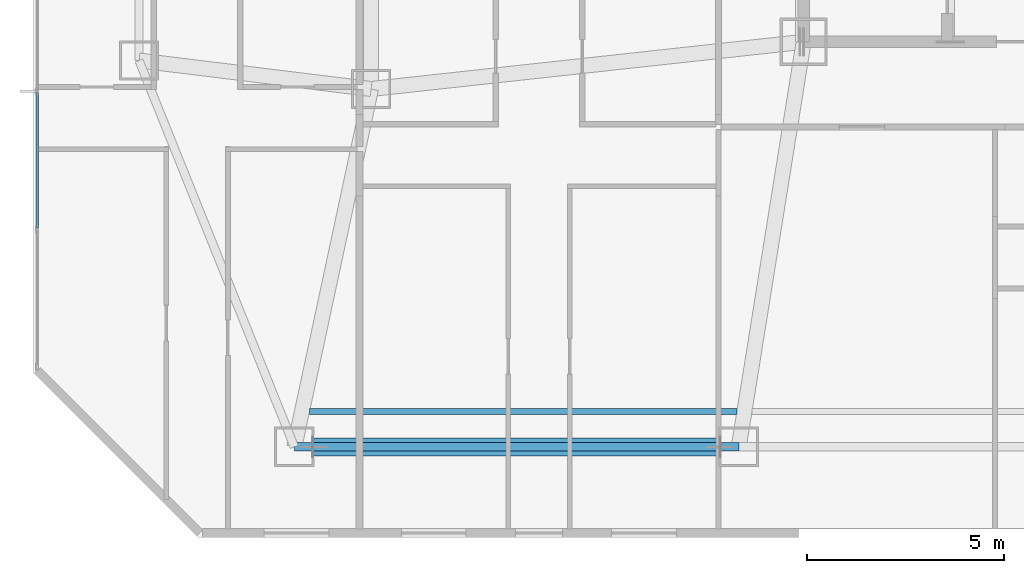
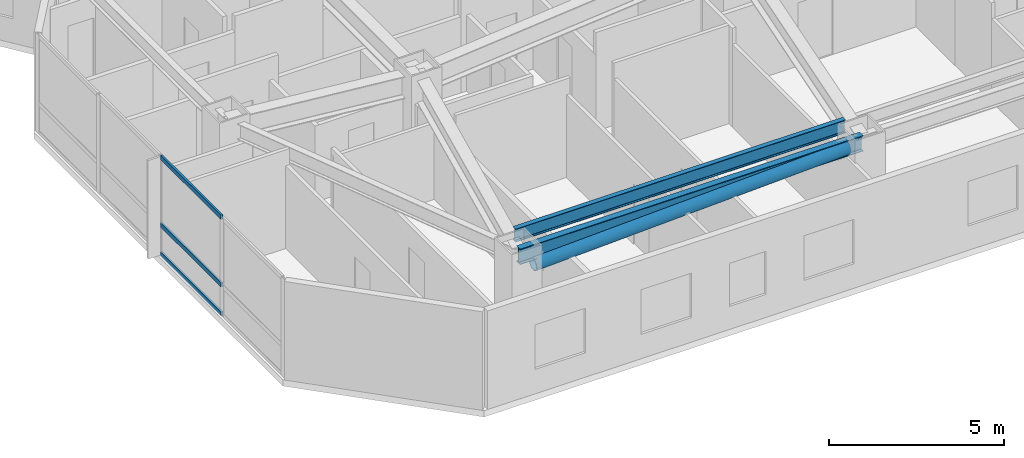
# One storey, part 3 of 21: 4 members, 2 beams, 1 element without a shape of its own.
"""IFC4 building model written with IfcOpenShell, lengths in metres."""

from ifc_helpers import new_model, si_unit, direction, frame, origin, origin_2d, place, context, subcontext, project, spatial, hollow_rectangle, hollow_circle, i_section, extrude, material, material_profile, profile_set, type_object, element, aggregate, save


model = new_model("IFC4")

# Units and contexts
model_context = context("Model", 3, precision=1e-05, world=origin(), true_north=direction((0.0, 1.0)))
body_context = subcontext(model_context, "Body", "Model", "MODEL_VIEW")
ifc_project = project(units=[si_unit("LENGTHUNIT", "METRE"), si_unit("AREAUNIT", "SQUARE_METRE"), si_unit("VOLUMEUNIT", "CUBIC_METRE"), si_unit("PLANEANGLEUNIT", "RADIAN"), si_unit("MASSUNIT", "GRAM", prefix="KILO")], contexts=[model_context])

# Site, building, storey
site_placement = place(None, origin())
site = spatial("IfcSite", under=ifc_project, at=site_placement, CompositionType="ELEMENT")
building_placement = place(site_placement, origin())
building = spatial("IfcBuilding", under=site, at=building_placement, Name="Khamvora Tower", CompositionType="ELEMENT")
storey_placement = place(building_placement, frame((0.0, 0.0, 98.25)))
storey = spatial("IfcBuildingStorey", under=building, at=storey_placement, Name="L24", CompositionType="ELEMENT", Elevation=98.25)

# Beams
ifc_material_1 = material(Name="Steel S355", Category="steel")
ifc_material_profile_1 = material_profile(ifc_material_1, i_section(OverallWidth=0.154052734375, OverallDepth=0.458984375, WebThickness=0.009033203125, FlangeThickness=0.014892578125, FilletRadius=0.011962890625, at=origin_2d()), Name="W460x68")
ifc_profile_set_1 = profile_set([ifc_material_profile_1], Name="Steel S355")
beam_type_1 = type_object("IfcBeamType", Name="BM-JS-W460x68", PredefinedType="JOIST", material=ifc_profile_set_1)
beam_1_placement = place(storey_placement, frame((16.43310546875, 9.60009765625, 3.200927734375), z_axis=(1.0, 0.0, 0.0), x_axis=(0.0, 1.0, 0.0)))
element("IfcBeam", 1, at=beam_1_placement, inside=storey, type_object=beam_type_1, Name="L24 secondary floor joist 01", PredefinedType="JOIST", context=body_context, shape_type="SweptSolid", body=[
    extrude(i_section(OverallWidth=0.154052734375, OverallDepth=0.458984375, WebThickness=0.009033203125, FlangeThickness=0.014892578125, FilletRadius=0.011962890625, at=origin_2d()), origin(), (0.0, 0.0, 1.0), 10.872802734375),
])
ifc_material_profile_2 = material_profile(ifc_material_1, i_section(OverallWidth=0.2119140625, OverallDepth=0.5439453125, WebThickness=0.012939453125, FlangeThickness=0.02099609375, FilletRadius=0.013916015625, at=origin_2d()), Name="W530x123")
ifc_profile_set_2 = profile_set([ifc_material_profile_2], Name="Steel S355")
beam_type_2 = type_object("IfcBeamType", Name="BM-SP-W530x123", PredefinedType="SPANDREL", material=ifc_profile_set_2)
beam_2_placement = place(storey_placement, frame((16.050048828125, 8.699951171875, 3.157958984375), z_axis=(1.0, 0.0, 0.0), x_axis=(0.0, 1.0, 0.0)))
element("IfcBeam", 2, at=beam_2_placement, inside=storey, type_object=beam_type_2, Name="L24 perimeter spandrel beam S1-S2", PredefinedType="SPANDREL", context=body_context, shape_type="SweptSolid", body=[
    extrude(i_section(OverallWidth=0.2119140625, OverallDepth=0.5439453125, WebThickness=0.012939453125, FlangeThickness=0.02099609375, FilletRadius=0.013916015625, at=origin_2d()), origin(), (0.0, 0.0, 1.0), 11.300048828125),
])

# Curtain wall, members
ifc_material_2 = material(Name="Anodised Aluminium 6063-T6", Category="aluminium")
curtain_wall_type = type_object("IfcCurtainWallType", Name="CW-SYS-03", PredefinedType="NOTDEFINED", material=ifc_material_2)
curtain_wall_placement = place(storey_placement, origin())
curtain_wall = element("IfcCurtainWall", 3, at=curtain_wall_placement, inside=storey, type_object=curtain_wall_type, Name="L24 stick curtain wall 02.1", PredefinedType="NOTDEFINED")
ifc_material_profile_3 = material_profile(ifc_material_2, hollow_rectangle(XDim=0.06494140625, YDim=0.155029296875, WallThickness=0.0048828125, at=origin_2d()), Name="TRN65x155x5")
ifc_profile_set_3 = profile_set([ifc_material_profile_3], Name="Anodised Aluminium 6063-T6")
member_type_1 = type_object("IfcMemberType", Name="CW-SYS-03-TRN", PredefinedType="USERDEFINED", material=ifc_profile_set_3)
member_1_placement = place(storey_placement, frame((9.510009765625, 14.260986328125, 0.032470703125), z_axis=(0.0, 1.0, 0.0), x_axis=(-1.0, 0.0, 0.0)))
member_1 = element("IfcMember", 4, at=member_1_placement, type_object=member_type_1, Name="CW-03 transom 2.1", ObjectType="TRANSOM", PredefinedType="USERDEFINED", context=body_context, shape_type="SweptSolid", body=[
    extrude(hollow_rectangle(XDim=0.06494140625, YDim=0.155029296875, WallThickness=0.0048828125, at=origin_2d()), origin(), (0.0, 0.0, 1.0), 3.446533203125),
])
member_2_placement = place(storey_placement, frame((9.510009765625, 14.260986328125, 1.050048828125), z_axis=(0.0, 1.0, 0.0), x_axis=(-1.0, 0.0, 0.0)))
member_2 = element("IfcMember", 5, at=member_2_placement, type_object=member_type_1, Name="CW-03 transom 2.2", ObjectType="TRANSOM", PredefinedType="USERDEFINED", context=body_context, shape_type="SweptSolid", body=[
    extrude(hollow_rectangle(XDim=0.06494140625, YDim=0.155029296875, WallThickness=0.0048828125, at=origin_2d()), origin(), (0.0, 0.0, 1.0), 3.446533203125),
])
member_3_placement = place(storey_placement, frame((9.510009765625, 14.260986328125, 3.3974609375), z_axis=(0.0, 1.0, 0.0), x_axis=(-1.0, 0.0, 0.0)))
member_3 = element("IfcMember", 6, at=member_3_placement, type_object=member_type_1, Name="CW-03 transom 2.3", ObjectType="TRANSOM", PredefinedType="USERDEFINED", context=body_context, shape_type="SweptSolid", body=[
    extrude(hollow_rectangle(XDim=0.06494140625, YDim=0.155029296875, WallThickness=0.0048828125, at=origin_2d()), origin(), (0.0, 0.0, 1.0), 3.446533203125),
])
aggregate(curtain_wall, [member_1, member_2, member_3])

# Member
ifc_material_profile_4 = material_profile(ifc_material_1, hollow_circle(Radius=0.228515625, WallThickness=0.02001953125, at=origin_2d()), Name="CHS457x20")
ifc_profile_set_4 = profile_set([ifc_material_profile_4], Name="Steel S355")
member_type_2 = type_object("IfcMemberType", Name="MEM-BR-CHS457", PredefinedType="BRACE", material=ifc_profile_set_4)
member_4_placement = place(storey_placement, frame((16.530029296875, 8.699951171875, 2.699951171875), z_axis=(0.999087057337, 0.0, 0.042720625713), x_axis=(0.0, 1.0, 0.0)))
element("IfcMember", 7, at=member_4_placement, inside=storey, type_object=member_type_2, Name="L24 perimeter wind brace 1", PredefinedType="BRACE", context=body_context, shape_type="SweptSolid", body=[
    extrude(hollow_circle(Radius=0.228515625, WallThickness=0.02001953125, at=origin_2d()), origin(), (0.0, 0.0, 1.0), 10.349609375),
])

save(model, "model.ifc")
